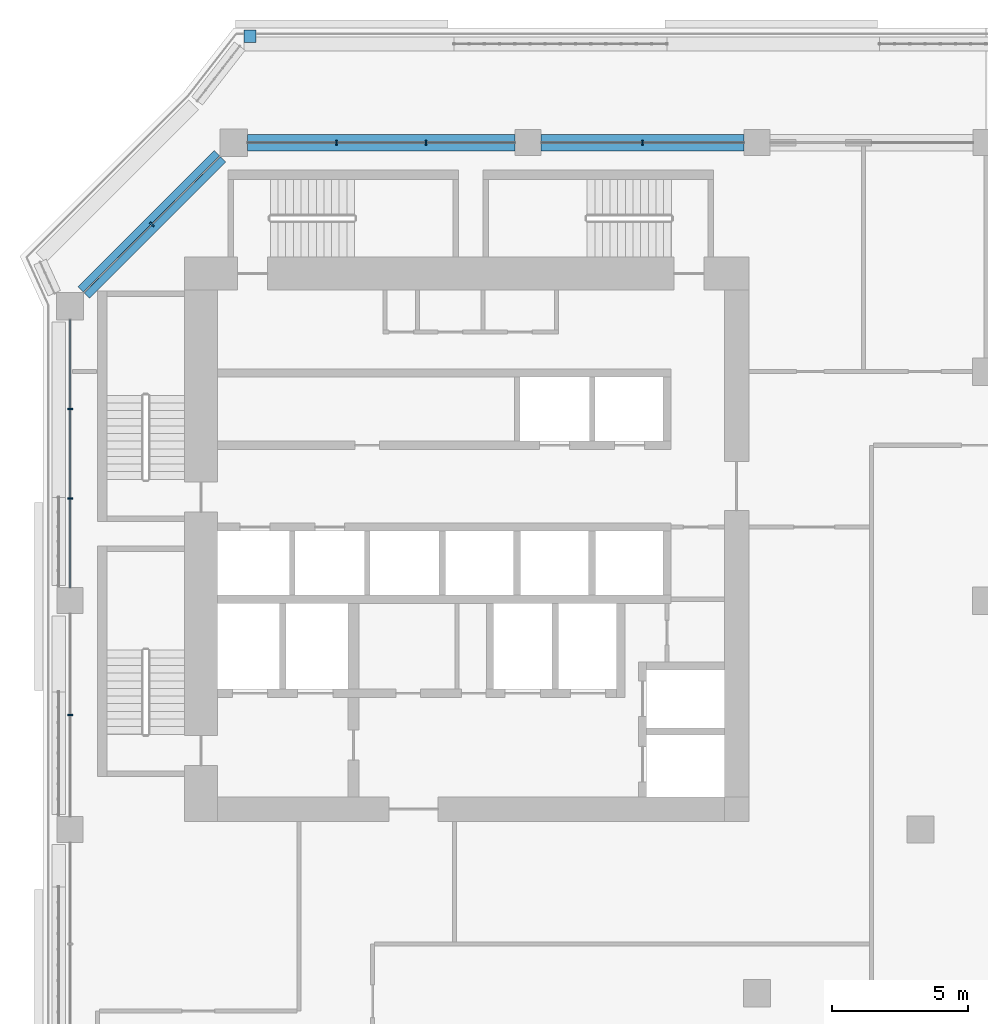
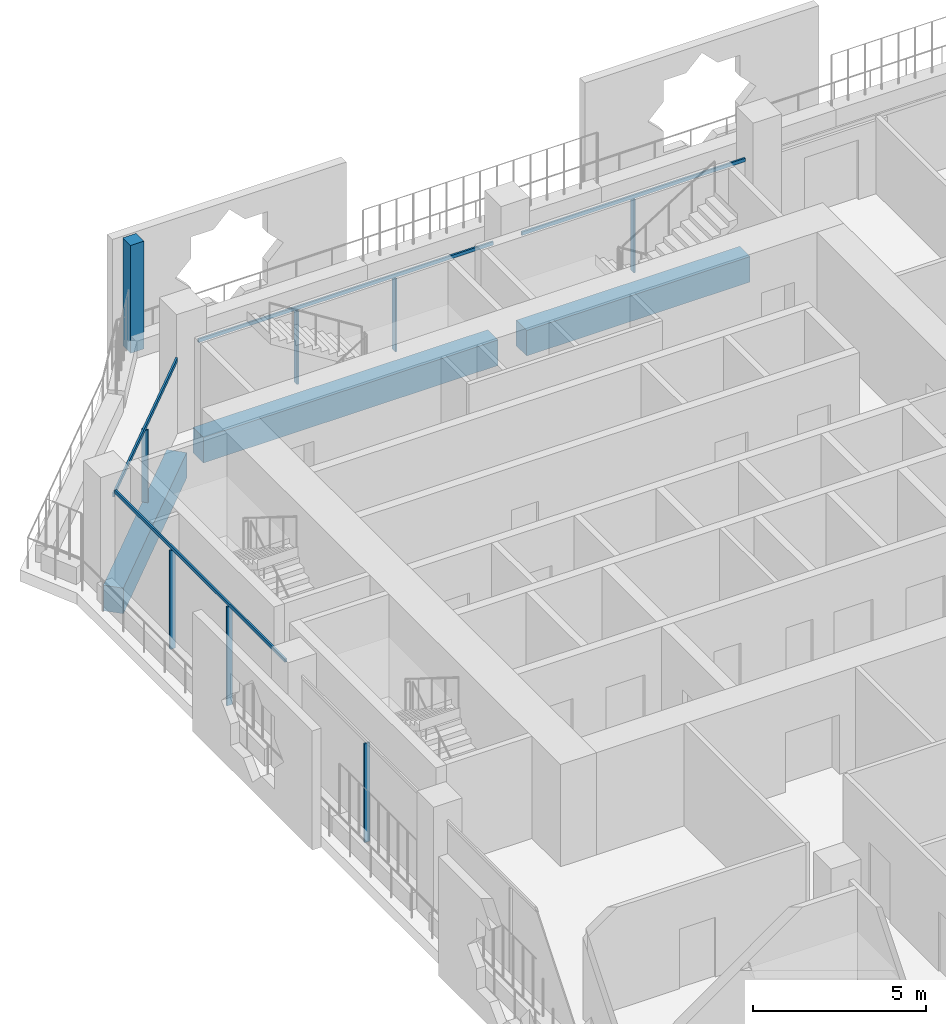
# One storey, part 5 of 22: 12 members, 3 beams, 4 elements without a shape of their own.
"""IFC4 building model written with IfcOpenShell, lengths in metres."""

from ifc_helpers import new_model, si_unit, direction, frame, origin, origin_2d, place, context, subcontext, project, spatial, rectangle, extrude, material, layer, layer_set, material_profile, profile_set, type_object, element, aggregate, save


model = new_model("IFC4")

# Units and contexts
model_context = context("Model", 3, precision=1e-05, world=origin(), true_north=direction((0.0, 1.0)))
body_context = subcontext(model_context, "Body", "Model", "MODEL_VIEW")
ifc_project = project(units=[si_unit("LENGTHUNIT", "METRE"), si_unit("AREAUNIT", "SQUARE_METRE"), si_unit("VOLUMEUNIT", "CUBIC_METRE"), si_unit("PLANEANGLEUNIT", "RADIAN"), si_unit("MASSUNIT", "GRAM", prefix="KILO")], contexts=[model_context])

# Site, building, storey
site_placement = place(None, origin())
site = spatial("IfcSite", under=ifc_project, at=site_placement, CompositionType="ELEMENT")
building_placement = place(site_placement, origin())
building = spatial("IfcBuilding", under=site, at=building_placement, Name="Kawkab Arch Medical Tower", CompositionType="ELEMENT")
storey_placement = place(building_placement, frame((0.0, 0.0, 179.39990234375)))
storey = spatial("IfcBuildingStorey", under=building, at=storey_placement, Name="L41", CompositionType="ELEMENT", Elevation=179.39990234375)

# Curtain wall, members
ifc_material_1 = material(Name="Bronze anodised aluminium curtain wall frame", Category="aluminium")
ifc_layer_1 = layer(ifc_material_1, 0.159912109375)
ifc_layer_set_1 = layer_set([ifc_layer_1], Name="Bronze anodised aluminium curtain wall frame")
curtain_wall_type_1 = type_object("IfcCurtainWallType", Name="CW1 ward curtain wall", PredefinedType="NOTDEFINED", material=ifc_layer_set_1)
placement = place(storey_placement, origin())
curtain_wall_1 = element("IfcCurtainWall", 1, at=placement, inside=storey, type_object=curtain_wall_type_1, Name="CW1 Ward curtain wall R01", PredefinedType="NOTDEFINED")
ifc_material_2 = material(Name="Bronze anodised aluminium curtain wall frame", Category="aluminium")
ifc_material_profile_1 = material_profile(ifc_material_2, rectangle(XDim=0.179931640625, YDim=0.06005859375, at=origin_2d()), Name="AL 60x180")
ifc_profile_set_1 = profile_set([ifc_material_profile_1], Name="Bronze anodised aluminium curtain wall frame")
member_type_1 = type_object("IfcMemberType", Name="CW1 mullion 60 x 180", PredefinedType="MULLION", material=ifc_profile_set_1)
member_1_placement = place(storey_placement, frame((0.0, -9.77490234375, 0.0), z_axis=(0.0, 0.0, 1.0), x_axis=(1.0, 0.0, 0.0)))
member_1 = element("IfcMember", 2, at=member_1_placement, type_object=member_type_1, Name="CW1 mullion 1.1", PredefinedType="MULLION", context=body_context, shape_type="SweptSolid", body=[
    extrude(rectangle(XDim=0.179931640625, YDim=0.06005859375, at=origin_2d()), origin(), (0.0, 0.0, 1.0), 3.47998046875),
])
member_2_placement = place(storey_placement, frame((0.0, -13.050048828125, 0.0), z_axis=(0.0, 0.0, 1.0), x_axis=(1.0, 0.0, 0.0)))
member_2 = element("IfcMember", 3, at=member_2_placement, type_object=member_type_1, Name="CW1 mullion 1.2", PredefinedType="MULLION", context=body_context, shape_type="SweptSolid", body=[
    extrude(rectangle(XDim=0.179931640625, YDim=0.06005859375, at=origin_2d()), origin(), (0.0, 0.0, 1.0), 3.47998046875),
])
member_3_placement = place(storey_placement, frame((0.0, -21.0, 0.0), z_axis=(0.0, 0.0, 1.0), x_axis=(1.0, 0.0, 0.0)))
member_3 = element("IfcMember", 4, at=member_3_placement, type_object=member_type_1, Name="CW1 mullion 2.1", PredefinedType="MULLION", context=body_context, shape_type="SweptSolid", body=[
    extrude(rectangle(XDim=0.179931640625, YDim=0.06005859375, at=origin_2d()), origin(), (0.0, 0.0, 1.0), 3.47998046875),
])

curtain_wall_2 = element("IfcCurtainWall", 5, at=placement, inside=storey, type_object=curtain_wall_type_1, Name="CW1 Ward curtain wall R11", PredefinedType="NOTDEFINED")
member_4_placement = place(storey_placement, frame((21.0, 0.0, 0.0), z_axis=(0.0, 0.0, 1.0), x_axis=(0.0, -1.0, 0.0)))
member_4 = element("IfcMember", 6, at=member_4_placement, type_object=member_type_1, Name="CW1 mullion 5.1", PredefinedType="MULLION", context=body_context, shape_type="SweptSolid", body=[
    extrude(rectangle(XDim=0.179931640625, YDim=0.06005859375, at=origin_2d()), origin(), (0.0, 0.0, 1.0), 2.580078125),
])
member_5_placement = place(storey_placement, frame((13.050048828125, 0.0, 0.0), z_axis=(0.0, 0.0, 1.0), x_axis=(0.0, -1.0, 0.0)))
member_5 = element("IfcMember", 7, at=member_5_placement, type_object=member_type_1, Name="CW1 mullion 6.1", PredefinedType="MULLION", context=body_context, shape_type="SweptSolid", body=[
    extrude(rectangle(XDim=0.179931640625, YDim=0.06005859375, at=origin_2d()), origin(), (0.0, 0.0, 1.0), 2.580078125),
])
member_6_placement = place(storey_placement, frame((9.77490234375, 0.0, 0.0), z_axis=(0.0, 0.0, 1.0), x_axis=(0.0, -1.0, 0.0)))
member_6 = element("IfcMember", 8, at=member_6_placement, type_object=member_type_1, Name="CW1 mullion 6.2", PredefinedType="MULLION", context=body_context, shape_type="SweptSolid", body=[
    extrude(rectangle(XDim=0.179931640625, YDim=0.06005859375, at=origin_2d()), origin(), (0.0, 0.0, 1.0), 2.580078125),
])

# Member
ifc_material_3 = material(Name="Bronze anodised aluminium curtain wall frame", Category="aluminium")
ifc_material_profile_2 = material_profile(ifc_material_3, rectangle(XDim=0.06005859375, YDim=0.1201171875, at=origin_2d()), Name="AL 60x120")
ifc_profile_set_2 = profile_set([ifc_material_profile_2], Name="Bronze anodised aluminium curtain wall frame")
member_type_2 = type_object("IfcMemberType", Name="CW1 transom 120 x 60", PredefinedType="USERDEFINED", material=ifc_profile_set_2)
member_7_placement = place(storey_placement, frame((0.0, -6.5, 3.5400390625), z_axis=(0.0, -1.0, 0.0), x_axis=(1.0, 0.0, 0.0)))
member_7 = element("IfcMember", 9, at=member_7_placement, type_object=member_type_2, Name="CW1 transom 1", ObjectType="TRANSOM", PredefinedType="USERDEFINED", context=body_context, shape_type="SweptSolid", body=[
    extrude(rectangle(XDim=0.06005859375, YDim=0.1201171875, at=origin_2d()), origin(), (0.0, 0.0, 1.0), 9.824951171875),
])

aggregate(curtain_wall_1, [member_7, member_1, member_2, member_3])

member_8_placement = place(storey_placement, frame((24.72509765625, 0.0, 2.64013671875), z_axis=(-1.0, 0.0, 0.0), x_axis=(0.0, -1.0, 0.0)))
member_8 = element("IfcMember", 10, at=member_8_placement, type_object=member_type_2, Name="CW1 transom 5", ObjectType="TRANSOM", PredefinedType="USERDEFINED", context=body_context, shape_type="SweptSolid", body=[
    extrude(rectangle(XDim=0.06005859375, YDim=0.1201171875, at=origin_2d()), origin(), (0.0, 0.0, 1.0), 7.4501953125),
])

member_9_placement = place(storey_placement, frame((16.324951171875, 0.0, 2.64013671875), z_axis=(-1.0, 0.0, 0.0), x_axis=(0.0, -1.0, 0.0)))
member_9 = element("IfcMember", 11, at=member_9_placement, type_object=member_type_2, Name="CW1 transom 6", ObjectType="TRANSOM", PredefinedType="USERDEFINED", context=body_context, shape_type="SweptSolid", body=[
    extrude(rectangle(XDim=0.06005859375, YDim=0.1201171875, at=origin_2d()), origin(), (0.0, 0.0, 1.0), 9.824951171875),
])

aggregate(curtain_wall_2, [member_8, member_4, member_9, member_5, member_6])

# Curtain wall, members
ifc_material_4 = material(Name="Bronze anodised aluminium curtain wall frame", Category="aluminium")
ifc_layer_2 = layer(ifc_material_4, 0.159912109375)
ifc_layer_set_2 = layer_set([ifc_layer_2], Name="Bronze anodised aluminium curtain wall frame")
curtain_wall_type_2 = type_object("IfcCurtainWallType", Name="CW2 chamfer curtain wall", PredefinedType="NOTDEFINED", material=ifc_layer_set_2)
curtain_wall_3 = element("IfcCurtainWall", 12, at=placement, inside=storey, type_object=curtain_wall_type_2, Name="CW2 Chamfer curtain wall R12", PredefinedType="NOTDEFINED")
ifc_material_5 = material(Name="Bronze anodised aluminium curtain wall frame", Category="aluminium")
ifc_material_profile_3 = material_profile(ifc_material_5, rectangle(XDim=0.199951171875, YDim=0.06005859375, at=origin_2d()), Name="AL 60x200")
ifc_profile_set_3 = profile_set([ifc_material_profile_3], Name="Bronze anodised aluminium curtain wall frame")
member_type_3 = type_object("IfcMemberType", Name="CW2 mullion 60 x 200", PredefinedType="MULLION", material=ifc_profile_set_3)
member_10_placement = place(storey_placement, frame((3.0, -3.0, 0.0), z_axis=(0.0, 0.0, 1.0), x_axis=(0.707106781187, -0.707106781187, 0.0)))
member_10 = element("IfcMember", 13, at=member_10_placement, type_object=member_type_3, Name="CW2 mullion 1.1", PredefinedType="MULLION", context=body_context, shape_type="SweptSolid", body=[
    extrude(rectangle(XDim=0.199951171875, YDim=0.06005859375, at=origin_2d()), origin(), (0.0, 0.0, 1.0), 2.56005859375),
])
ifc_material_6 = material(Name="Bronze anodised aluminium curtain wall frame", Category="aluminium")
ifc_material_profile_4 = material_profile(ifc_material_6, rectangle(XDim=0.06005859375, YDim=0.139892578125, at=origin_2d()), Name="AL 60x140")
ifc_profile_set_4 = profile_set([ifc_material_profile_4], Name="Bronze anodised aluminium curtain wall frame")
member_type_4 = type_object("IfcMemberType", Name="CW2 transom 140 x 60", PredefinedType="USERDEFINED", material=ifc_profile_set_4)
member_11_placement = place(storey_placement, frame((5.5, -0.5, 2.630126953125), z_axis=(-0.707106781187, -0.707106781187, 0.0), x_axis=(0.707106781187, -0.707106781187, 0.0)))
member_11 = element("IfcMember", 14, at=member_11_placement, type_object=member_type_4, Name="CW2 transom 1", ObjectType="TRANSOM", PredefinedType="USERDEFINED", context=body_context, shape_type="SweptSolid", body=[
    extrude(rectangle(XDim=0.06005859375, YDim=0.139892578125, at=origin_2d()), origin(), (0.0, 0.0, 1.0), 7.071044921875),
])
aggregate(curtain_wall_3, [member_11, member_10])

# Curtain wall, member
ifc_material_7 = material(Name="Bronze anodised aluminium climber frame, planted", Category="aluminium")
ifc_layer_3 = layer(ifc_material_7, 0.449951171875)
ifc_layer_set_3 = layer_set([ifc_layer_3], Name="Bronze anodised aluminium climber frame, planted")
curtain_wall_type_3 = type_object("IfcCurtainWallType", Name="Planted climber frame", PredefinedType="NOTDEFINED", material=ifc_layer_set_3)
curtain_wall_4 = element("IfcCurtainWall", 15, at=placement, inside=storey, type_object=curtain_wall_type_3, Name="Planted climber frame L41", PredefinedType="NOTDEFINED")
ifc_material_8 = material(Name="Bronze anodised aluminium climber frame, planted", Category="aluminium")
ifc_material_profile_5 = material_profile(ifc_material_8, rectangle(XDim=0.449951171875, YDim=0.449951171875, at=origin_2d()), Name="Post 450x450")
ifc_profile_set_5 = profile_set([ifc_material_profile_5], Name="Bronze anodised aluminium climber frame, planted")
member_type_5 = type_object("IfcMemberType", Name="Planted climber post 450 x 450", PredefinedType="MULLION", material=ifc_profile_set_5)
member_12_placement = place(storey_placement, frame((6.596923828125, 3.89990234375, 0.0), z_axis=(0.0, 0.0, 1.0), x_axis=(1.0, 0.0, 0.0)))
member_12 = element("IfcMember", 16, at=member_12_placement, type_object=member_type_5, Name="Planted climber post L41.LOG-01-01.1", PredefinedType="MULLION", context=body_context, shape_type="SweptSolid", body=[
    extrude(rectangle(XDim=0.449951171875, YDim=0.449951171875, at=origin_2d()), origin(), (0.0, 0.0, 1.0), 3.800048828125),
])
aggregate(curtain_wall_4, [member_12])

# Beams
ifc_material_9 = material(Name="Concrete C50/60", Category="concrete")
ifc_material_profile_6 = material_profile(ifc_material_9, rectangle(XDim=0.60009765625, YDim=0.89990234375, at=origin_2d()), Name="RC 600x900")
ifc_profile_set_6 = profile_set([ifc_material_profile_6], Name="Concrete C50/60")
beam_type = type_object("IfcBeamType", Name="RC 600x900 beam C50/60", PredefinedType="BEAM", material=ifc_profile_set_6)
beam_1_placement = place(storey_placement, frame((0.5, -5.5, -1.0498046875), z_axis=(0.707106781187, 0.707106781187, 0.0), x_axis=(-0.707106781187, 0.707106781187, 0.0)))
element("IfcBeam", 17, at=beam_1_placement, inside=storey, type_object=beam_type, Name="Overhang edge beam L41-01", PredefinedType="BEAM", context=body_context, shape_type="SweptSolid", body=[
    extrude(rectangle(XDim=0.60009765625, YDim=0.89990234375, at=origin_2d()), origin(), (0.0, 0.0, 1.0), 7.071044921875),
])
beam_2_placement = place(storey_placement, frame((6.5, 0.0, -1.0498046875), z_axis=(1.0, 0.0, 0.0), x_axis=(0.0, 1.0, 0.0)))
element("IfcBeam", 18, at=beam_2_placement, inside=storey, type_object=beam_type, Name="Overhang edge beam L41-02", PredefinedType="BEAM", context=body_context, shape_type="SweptSolid", body=[
    extrude(rectangle(XDim=0.60009765625, YDim=0.89990234375, at=origin_2d()), origin(), (0.0, 0.0, 1.0), 9.824951171875),
])
beam_3_placement = place(storey_placement, frame((17.27490234375, 0.0, -1.0498046875), z_axis=(1.0, 0.0, 0.0), x_axis=(0.0, 1.0, 0.0)))
element("IfcBeam", 19, at=beam_3_placement, inside=storey, type_object=beam_type, Name="Overhang edge beam L41-03", PredefinedType="BEAM", context=body_context, shape_type="SweptSolid", body=[
    extrude(rectangle(XDim=0.60009765625, YDim=0.89990234375, at=origin_2d()), origin(), (0.0, 0.0, 1.0), 7.4501953125),
])

save(model, "model.ifc")
